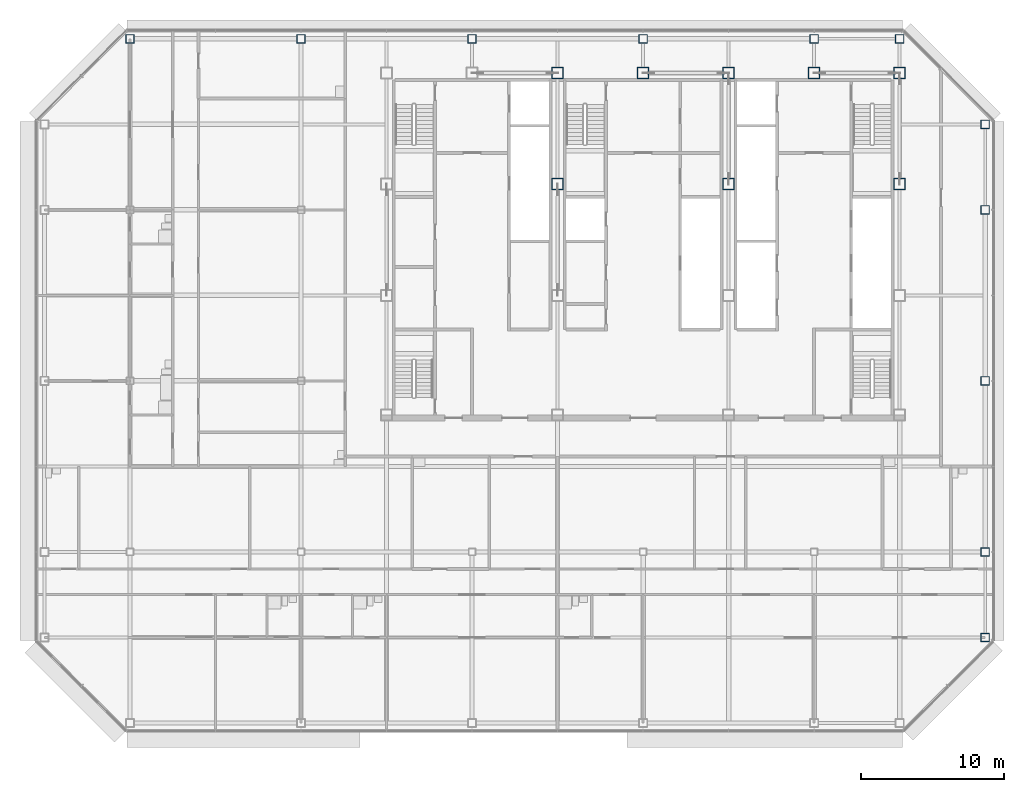
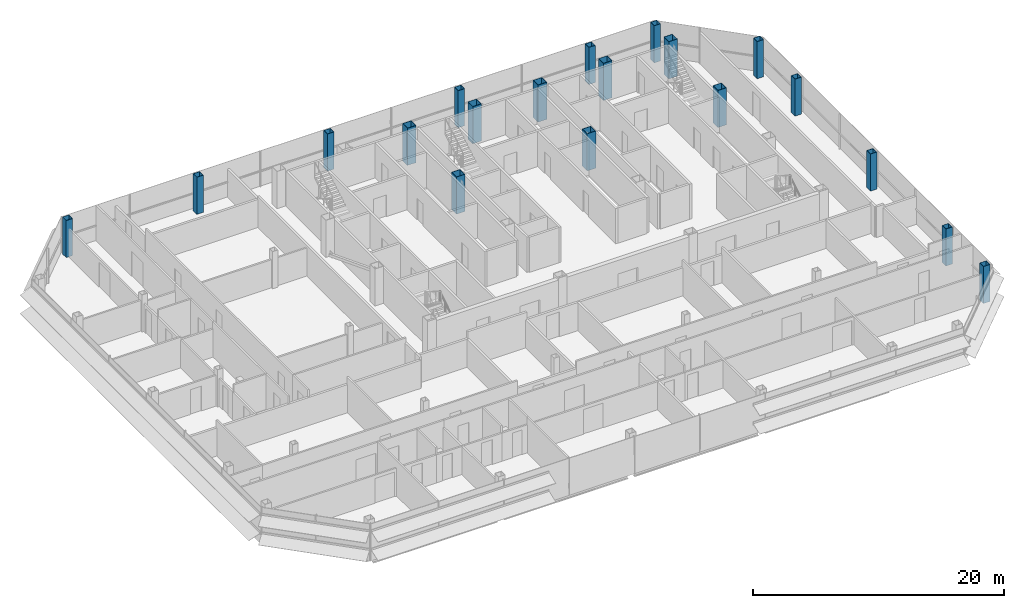
# One storey, part 2 of 27: 19 columns.
"""IFC4 building model written with IfcOpenShell, lengths in metres."""

import ifcopenshell
import ifcopenshell.guid

model = None  # the IFC model being written
_history = None  # IfcOwnerHistory: only IFC2X3 demands one
_inside = {}  # id of a spatial element -> (the spatial element, [elements in it])
_under = {}  # id of a project, library or spatial element -> (it, [spatial elements below it])
_declared = {}  # id of a project -> (the project, [libraries it declares])
_typed = {}  # id of a type object -> (the type object, [elements of that type])
_made_of = {}  # id of a material, layer set ... -> (it, [elements and type objects made of it])


def new_model(schema):
    """Start an empty IFC model of exactly this schema.

    Asked for "IFC4X3", IfcOpenShell would pick the latest addendum, in which some entities
    have other attributes; the version numbers below select the first issue.
    IFC2X3 requires an IfcOwnerHistory on every rooted entity: one is made here for all.
    """
    global model, _history
    if schema == "IFC4X3":
        model = ifcopenshell.file(schema_version=(4, 3, 0, 0))
    else:
        model = ifcopenshell.file(schema=schema)
    _inside.clear()
    _under.clear()
    _declared.clear()
    _typed.clear()
    _made_of.clear()
    _history = None
    if model.schema == "IFC2X3":
        org = make("IfcOrganization", Name="unknown")
        user = make(
            "IfcPersonAndOrganization",
            ThePerson=make("IfcPerson", FamilyName="unknown"),
            TheOrganization=org,
        )
        app = make(
            "IfcApplication",
            ApplicationDeveloper=org,
            Version="unknown",
            ApplicationFullName="unknown",
            ApplicationIdentifier="unknown",
        )
        _history = make(
            "IfcOwnerHistory",
            OwningUser=user,
            OwningApplication=app,
            ChangeAction="ADDED",
            CreationDate=0,
        )
    return model


def make(cls, **values):
    """One entity of the class cls with the attributes given. An attribute that is None is left unset."""
    return model.create_entity(
        cls, **{name: value for name, value in values.items() if value is not None}
    )


def rooted(cls, **values):
    """An entity with a GlobalId (a new one), such as an element, a storey or a relation."""
    return make(cls, GlobalId=ifcopenshell.guid.new(), OwnerHistory=_history, **values)


def si_unit(unit_type, name, prefix=None):
    """IfcSIUnit, for example si_unit("LENGTHUNIT", "METRE", prefix="MILLI")."""
    return make("IfcSIUnit", UnitType=unit_type, Prefix=prefix, Name=name)


def assignment(units):
    """IfcUnitAssignment: the units of a project."""
    return None if units is None else make("IfcUnitAssignment", Units=units)


def point(xyz):
    """IfcCartesianPoint."""
    return None if xyz is None else make("IfcCartesianPoint", Coordinates=xyz)


def direction(xyz):
    """IfcDirection."""
    return None if xyz is None else make("IfcDirection", DirectionRatios=xyz)


def frame(location, z_axis=None, x_axis=None):
    """IfcAxis2Placement3D, a coordinate frame: its origin and axes. An axis left out is left unset."""
    return make(
        "IfcAxis2Placement3D",
        Location=point(location),
        Axis=direction(z_axis),
        RefDirection=direction(x_axis),
    )


def frame_2d(location, x_axis=None):
    """IfcAxis2Placement2D, a coordinate frame in the plane: its origin and x axis."""
    return make(
        "IfcAxis2Placement2D", Location=point(location), RefDirection=direction(x_axis)
    )


def origin():
    """The frame at (0, 0, 0) with its axes left unset."""
    return frame((0.0, 0.0, 0.0))


def origin_2d():
    """The frame at (0, 0) in the plane with its x axis left unset."""
    return frame_2d((0.0, 0.0))


def place(relative_to, where):
    """IfcLocalPlacement: puts the frame where relative to a parent placement (None: the world)."""
    return make(
        "IfcLocalPlacement", PlacementRelTo=relative_to, RelativePlacement=where
    )


def context(
    kind, dimensions, precision=None, world=None, true_north=None, identifier=None
):
    """IfcGeometricRepresentationContext, for example the 3D "Model" context."""
    return make(
        "IfcGeometricRepresentationContext",
        ContextIdentifier=identifier,
        ContextType=kind,
        CoordinateSpaceDimension=dimensions,
        Precision=precision,
        WorldCoordinateSystem=world,
        TrueNorth=true_north,
    )


def subcontext(parent, identifier, kind, view, scale=None):
    """IfcGeometricRepresentationSubContext, for example "Body" below "Model"."""
    return make(
        "IfcGeometricRepresentationSubContext",
        ContextIdentifier=identifier,
        ContextType=kind,
        ParentContext=parent,
        TargetScale=scale,
        TargetView=view,
    )


def project(units=None, contexts=None):
    """IfcProject with its units and contexts."""
    return rooted(
        "IfcProject",
        Name="project",
        RepresentationContexts=contexts,
        UnitsInContext=assignment(units),
    )


def spatial(cls, under=None, at=None, **own):
    """A site, building, storey or space (cls), placed at a placement, below another one or the project."""
    s = rooted(cls, ObjectPlacement=at, **own)
    if under is not None:
        _under.setdefault(under.id(), (under, []))[1].append(s)
    return s


def profile(cls, at=None, kind="AREA", **sizes):
    """A parametric profile (cls). Its sizes go by their IFC names, for example OverallWidth=200.0."""
    return make(cls, ProfileType=kind, Position=at, **sizes)


def hollow_rectangle(**sizes):
    """IfcRectangleHollowProfileDef."""
    return profile("IfcRectangleHollowProfileDef", **sizes)


def extrude(swept, where, along, depth):
    """IfcExtrudedAreaSolid: the profile swept, set in the frame where, extruded along a direction by depth."""
    return make(
        "IfcExtrudedAreaSolid",
        SweptArea=swept,
        Position=where,
        ExtrudedDirection=direction(along),
        Depth=depth,
    )


def shape(context_of_items, identifier, shape_type, items):
    """IfcShapeRepresentation: the items that make up one representation, for example the "Body"."""
    return make(
        "IfcShapeRepresentation",
        ContextOfItems=context_of_items,
        RepresentationIdentifier=identifier,
        RepresentationType=shape_type,
        Items=items,
    )


def material(Name=None, Category=None):
    """IfcMaterial."""
    return make("IfcMaterial", Name=Name, Category=Category)


def material_profile(
    of_material, cross_section, Name=None, Category=None, Priority=None
):
    """IfcMaterialProfile: a cross section and its material."""
    return make(
        "IfcMaterialProfile",
        Name=Name,
        Material=of_material,
        Profile=cross_section,
        Priority=Priority,
        Category=Category,
    )


def profile_set(profiles, Name=None, composite=None):
    """IfcMaterialProfileSet."""
    return make(
        "IfcMaterialProfileSet",
        Name=Name,
        MaterialProfiles=profiles,
        CompositeProfile=composite,
    )


def made_of(thing, what):
    """Note that an element or type object is made of a material, layer set ...; save() writes the relation."""
    if what is not None:
        _made_of.setdefault(what.id(), (what, []))[1].append(thing)
    return thing


def type_object(cls, material=None, **own):
    """A type object (cls), such as IfcWallType, which elements share."""
    return made_of(rooted(cls, **own), material)


def element(
    cls,
    number,
    at=None,
    inside=None,
    cuts=None,
    type_object=None,
    material=None,
    context=None,
    identifier="Body",
    shape_type=None,
    held_by="IfcProductDefinitionShape",
    body=None,
    shapes=None,
    **own,
):
    """One element of the class cls, such as IfcWall. Its Tag is "e" and its number.

    at: its placement. inside: the storey or other place that contains it. cuts: it is an
    opening in that element (IfcRelVoidsElement). A single representation is given by context,
    identifier, shape_type and body (its items); several are given by shapes. held_by: the class
    of the entity that holds the representations. save() writes the other relations.
    """
    e = rooted(cls, Tag="e%d" % number, ObjectPlacement=at, **own)
    if body is not None:
        shapes = [shape(context, identifier, shape_type, body)]
    if shapes is not None:
        e.Representation = make(held_by, Representations=shapes)
    if inside is not None:
        _inside.setdefault(inside.id(), (inside, []))[1].append(e)
    if cuts is not None:
        rooted(
            "IfcRelVoidsElement", RelatingBuildingElement=cuts, RelatedOpeningElement=e
        )
    if type_object is not None:
        _typed.setdefault(type_object.id(), (type_object, []))[1].append(e)
    return made_of(e, material)


def aggregate(whole, parts):
    """IfcRelAggregates: a whole, such as a stair, and the parts it consists of."""
    return rooted("IfcRelAggregates", RelatingObject=whole, RelatedObjects=parts)


def save(model, path):
    """Write the relations noted so far, then the file.

    IfcRelAggregates (storeys below a building ...), IfcRelContainedInSpatialStructure (elements
    in a storey), IfcRelDefinesByType, IfcRelAssociatesMaterial and IfcRelDeclares: one each for
    every whole, place, type object, material and project.
    """
    for whole, parts in _under.values():
        aggregate(whole, parts)
    for where, things in _inside.values():
        rooted(
            "IfcRelContainedInSpatialStructure",
            RelatedElements=things,
            RelatingStructure=where,
        )
    for kind, things in _typed.values():
        rooted("IfcRelDefinesByType", RelatedObjects=things, RelatingType=kind)
    for what, things in _made_of.values():
        rooted("IfcRelAssociatesMaterial", RelatedObjects=things, RelatingMaterial=what)
    for by, libraries in _declared.values():
        rooted("IfcRelDeclares", RelatingContext=by, RelatedDefinitions=libraries)
    model.write(path)


model = new_model("IFC4")

# Units and contexts
model_context = context("Model", 3, precision=1e-05, world=origin(), true_north=direction((0.0, 1.0)))
body_context = subcontext(model_context, "Body", "Model", "MODEL_VIEW")
ifc_project = project(units=[si_unit("LENGTHUNIT", "METRE"), si_unit("AREAUNIT", "SQUARE_METRE"), si_unit("VOLUMEUNIT", "CUBIC_METRE"), si_unit("PLANEANGLEUNIT", "RADIAN"), si_unit("MASSUNIT", "GRAM", prefix="KILO")], contexts=[model_context])

# Site, building, storey
site_placement = place(None, origin())
site = spatial("IfcSite", under=ifc_project, at=site_placement, CompositionType="ELEMENT")
building_placement = place(site_placement, origin())
building = spatial("IfcBuilding", under=site, at=building_placement, Name="Sorahane Residences", CompositionType="ELEMENT")
storey_placement = place(building_placement, frame((0.0, 0.0, 294.39990234375)))
storey = spatial("IfcBuildingStorey", under=building, at=storey_placement, Name="L69", CompositionType="ELEMENT", Elevation=294.39990234375)

# Columns
ifc_material_1 = material(Name="Steel Q355B", Category="steel")
ifc_material_profile_1 = material_profile(ifc_material_1, hollow_rectangle(XDim=0.60009765625, YDim=0.60009765625, WallThickness=0.028076171875, at=origin_2d()), Name="BOX 600x600x28")
ifc_profile_set_1 = profile_set([ifc_material_profile_1], Name="Steel Q355B")
column_type_1 = type_object("IfcColumnType", Name="Steel box column BOX 600x600x28 Q355B", PredefinedType="COLUMN", material=ifc_profile_set_1)
for number, where, z_axis, x_axis, name in (
    (1, (-12.0, 48.0, 0.0), (0.0, 0.0, 1.0), (1.0, 0.0, 0.0), "Column L69 m12/48"),
    (2, (0.0, 48.0, 0.0), (0.0, 0.0, 1.0), (1.0, 0.0, 0.0), "Column L69 0/48"),
    (3, (12.0, 48.0, 0.0), (0.0, 0.0, 1.0), (1.0, 0.0, 0.0), "Column L69 12/48"),
    (4, (24.0, 48.0, 0.0), (0.0, 0.0, 1.0), (1.0, 0.0, 0.0), "Column L69 24/48"),
    (5, (36.0, 48.0, 0.0), (0.0, 0.0, 1.0), (1.0, 0.0, 0.0), "Column L69 36/48"),
    (6, (42.0, 48.0, 0.0), (0.0, 0.0, 1.0), (1.0, 0.0, 0.0), "Column L69 42/48"),
    (7, (48.0, 6.0, 0.0), (0.0, 0.0, 1.0), (1.0, 0.0, 0.0), "Column L69 48/6"),
    (8, (48.0, 12.0, 0.0), (0.0, 0.0, 1.0), (1.0, 0.0, 0.0), "Column L69 48/12"),
    (9, (48.0, 24.0, 0.0), (0.0, 0.0, 1.0), (1.0, 0.0, 0.0), "Column L69 48/24"),
    (10, (48.0, 36.0, 0.0), (0.0, 0.0, 1.0), (1.0, 0.0, 0.0), "Column L69 48/36"),
    (11, (48.0, 42.0, 0.0), (0.0, 0.0, 1.0), (1.0, 0.0, 0.0), "Column L69 48/42"),
):
    element("IfcColumn", number, at=place(storey_placement, frame(where, z_axis=z_axis, x_axis=x_axis)), inside=storey, type_object=column_type_1, Name=name, PredefinedType="COLUMN", context=body_context, shape_type="SweptSolid", body=[
        extrude(hollow_rectangle(XDim=0.60009765625, YDim=0.60009765625, WallThickness=0.028076171875, at=origin_2d()), origin(), (0.0, 0.0, 1.0), 3.60009765625),
    ])
ifc_material_2 = material(Name="Steel Q355B", Category="steel")
ifc_material_profile_2 = material_profile(ifc_material_2, hollow_rectangle(XDim=0.800048828125, YDim=0.800048828125, WallThickness=0.031982421875, at=origin_2d()), Name="BOX 800x800x32")
ifc_profile_set_2 = profile_set([ifc_material_profile_2], Name="Steel Q355B")
column_type_2 = type_object("IfcColumnType", Name="Steel box column BOX 800x800x32 Q355B", PredefinedType="COLUMN", material=ifc_profile_set_2)
for number, where, z_axis, x_axis, name in (
    (12, (18.0, 37.800048828125, 0.0), (0.0, 0.0, 1.0), (1.0, 0.0, 0.0), "Column L69 18/37.8"),
    (13, (18.0, 45.60009765625, 0.0), (0.0, 0.0, 1.0), (1.0, 0.0, 0.0), "Column L69 18/45.6"),
    (14, (24.0, 45.60009765625, 0.0), (0.0, 0.0, 1.0), (1.0, 0.0, 0.0), "Column L69 24/45.6"),
    (15, (30.0, 37.800048828125, 0.0), (0.0, 0.0, 1.0), (1.0, 0.0, 0.0), "Column L69 30/37.8"),
    (16, (30.0, 45.60009765625, 0.0), (0.0, 0.0, 1.0), (1.0, 0.0, 0.0), "Column L69 30/45.6"),
    (17, (36.0, 45.60009765625, 0.0), (0.0, 0.0, 1.0), (1.0, 0.0, 0.0), "Column L69 36/45.6"),
    (18, (42.0, 37.800048828125, 0.0), (0.0, 0.0, 1.0), (1.0, 0.0, 0.0), "Column L69 42/37.8"),
    (19, (42.0, 45.60009765625, 0.0), (0.0, 0.0, 1.0), (1.0, 0.0, 0.0), "Column L69 42/45.6"),
):
    element("IfcColumn", number, at=place(storey_placement, frame(where, z_axis=z_axis, x_axis=x_axis)), inside=storey, type_object=column_type_2, Name=name, PredefinedType="COLUMN", context=body_context, shape_type="SweptSolid", body=[
        extrude(hollow_rectangle(XDim=0.800048828125, YDim=0.800048828125, WallThickness=0.031982421875, at=origin_2d()), origin(), (0.0, 0.0, 1.0), 3.60009765625),
    ])

save(model, "model.ifc")
